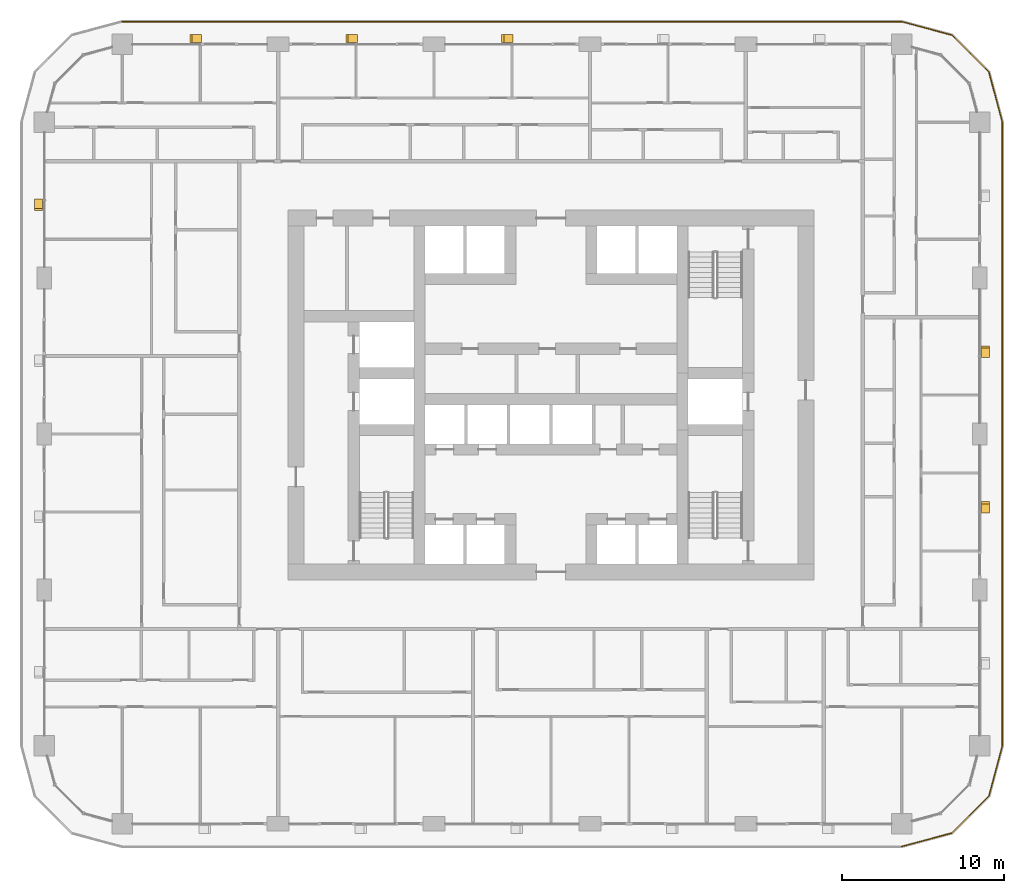
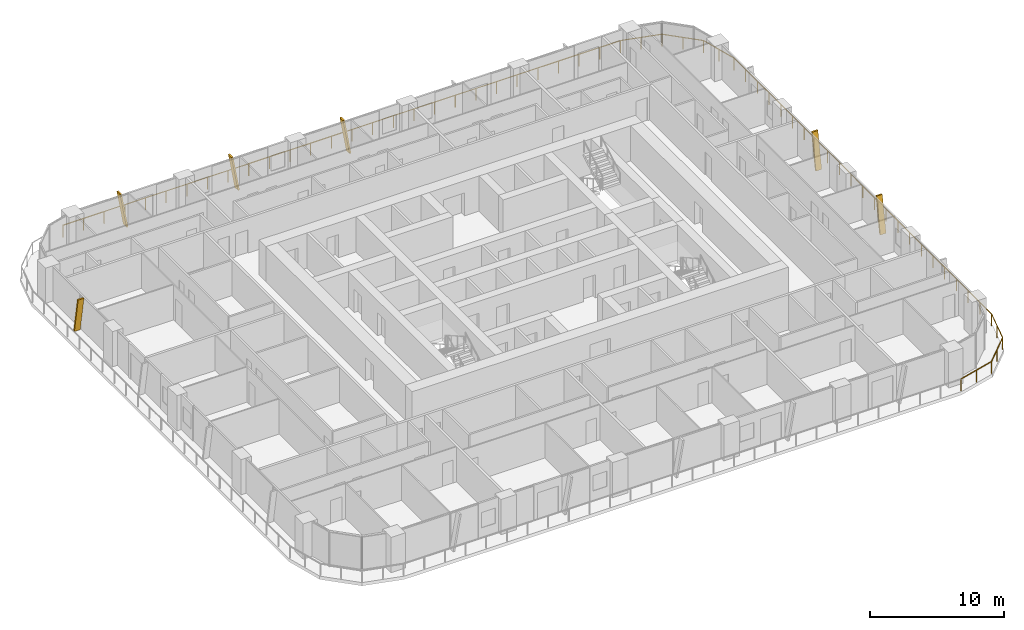
# One storey, part 20 of 21: 6 shading devices, 1 railing.
"""IFC4 building model written with IfcOpenShell, lengths in metres."""

from ifc_helpers import new_model, si_unit, direction, frame, origin, origin_2d, place, context, subcontext, project, spatial, polyline, circle, outline, extrude, material, type_object, element, save


model = new_model("IFC4")

# Units and contexts
model_context = context("Model", 3, precision=1e-05, world=origin(), true_north=direction((0.0, 1.0)))
body_context = subcontext(model_context, "Body", "Model", "MODEL_VIEW")
ifc_project = project(units=[si_unit("LENGTHUNIT", "METRE"), si_unit("AREAUNIT", "SQUARE_METRE"), si_unit("VOLUMEUNIT", "CUBIC_METRE"), si_unit("PLANEANGLEUNIT", "RADIAN"), si_unit("MASSUNIT", "GRAM", prefix="KILO")], contexts=[model_context])

# Site, building, storey
site_placement = place(None, origin())
site = spatial("IfcSite", under=ifc_project, at=site_placement, CompositionType="ELEMENT")
building_placement = place(site_placement, origin())
building = spatial("IfcBuilding", under=site, at=building_placement, Name="Madar Terraces", CompositionType="ELEMENT")
storey_placement = place(building_placement, frame((0.0, 0.0, 32.89990234375)))
storey = spatial("IfcBuildingStorey", under=building, at=storey_placement, Name="L07", CompositionType="ELEMENT", Elevation=32.89990234375)

# Railing
ifc_material_1 = material(Name="Glass, safety glazing, with stainless steel posts", Category="steel")
railing_type = type_object("IfcRailingType", Name="Balcony glass guard 1100", PredefinedType="GUARDRAIL", material=ifc_material_1)
railing_placement = place(storey_placement, frame((52.800048828125, -1.39990234375, 0.0)))
element("IfcRailing", 1, at=railing_placement, inside=storey, type_object=railing_type, Name="Balcony guard", PredefinedType="GUARDRAIL", context=body_context, shape_type="SweptSolid", body=[
    extrude(circle(Radius=0.02392578125, at=origin_2d()), frame((0.0, 0.0, 1.076171875), z_axis=(0.965928696102, 0.258808334578, 0.0), x_axis=(-0.258808334578, 0.965928696102, 0.0)), (0.0, 0.0, 1.0), 3.209228515625),
    extrude(circle(Radius=0.02392578125, at=origin_2d()), frame((3.099853515625, 0.83056640625, 1.076171875), z_axis=(0.707144815061, 0.707068745266, 0.0), x_axis=(-0.707068745266, 0.707144815061, 0.0)), (0.0, 0.0, 1.0), 3.20947265625),
    extrude(circle(Radius=0.02392578125, at=origin_2d()), frame((5.369384765625, 3.099853515625, 1.076171875), z_axis=(0.258789317819, 0.9659337912, 0.0), x_axis=(-0.9659337912, 0.258789317819, 0.0)), (0.0, 0.0, 1.0), 3.20947265625),
    extrude(circle(Radius=0.02392578125, at=origin_2d()), frame((6.199951171875, 6.199951171875, 1.076171875), z_axis=(0.0, 1.0, 0.0), x_axis=(-1.0, 0.0, 0.0)), (0.0, 0.0, 1.0), 38.39990234375),
    extrude(circle(Radius=0.02392578125, at=origin_2d()), frame((6.199951171875, 44.599853515625, 1.076171875), z_axis=(-0.258789317819, 0.9659337912, 0.0), x_axis=(-0.9659337912, -0.258789317819, 0.0)), (0.0, 0.0, 1.0), 3.20947265625),
    extrude(circle(Radius=0.02392578125, at=origin_2d()), frame((5.369384765625, 47.699951171875, 1.076171875), z_axis=(-0.707144815061, 0.707068745266, 0.0), x_axis=(-0.707068745266, -0.707144815061, 0.0)), (0.0, 0.0, 1.0), 3.20947265625),
    extrude(circle(Radius=0.02392578125, at=origin_2d()), frame((3.099853515625, 49.96923828125, 1.076171875), z_axis=(-0.965928696102, 0.258808334578, 0.0), x_axis=(-0.258808334578, -0.965928696102, 0.0)), (0.0, 0.0, 1.0), 3.209228515625),
    extrude(circle(Radius=0.02392578125, at=origin_2d()), frame((0.0, 50.7998046875, 1.076171875), z_axis=(-1.0, 0.0, 0.0), x_axis=(0.0, -1.0, 0.0)), (0.0, 0.0, 1.0), 48.0),
    extrude(circle(Radius=0.02099609375, at=origin_2d()), origin(), (0.0, 0.0, 1.0), 1.052001953125),
    extrude(circle(Radius=0.02099609375, at=origin_2d()), frame((1.5498046875, 0.415283203125, 0.0)), (0.0, 0.0, 1.0), 1.052001953125),
    extrude(circle(Radius=0.02099609375, at=origin_2d()), frame((3.099853515625, 0.83056640625, 0.0)), (0.0, 0.0, 1.0), 1.052001953125),
    extrude(circle(Radius=0.02099609375, at=origin_2d()), frame((4.234619140625, 1.96533203125, 0.0)), (0.0, 0.0, 1.0), 1.052001953125),
    extrude(circle(Radius=0.02099609375, at=origin_2d()), frame((5.369384765625, 3.099853515625, 0.0)), (0.0, 0.0, 1.0), 1.052001953125),
    extrude(circle(Radius=0.02099609375, at=origin_2d()), frame((5.78466796875, 4.64990234375, 0.0)), (0.0, 0.0, 1.0), 1.052001953125),
    extrude(circle(Radius=0.02099609375, at=origin_2d()), frame((6.199951171875, 6.199951171875, 0.0)), (0.0, 0.0, 1.0), 1.052001953125),
    extrude(circle(Radius=0.02099609375, at=origin_2d()), frame((6.199951171875, 7.9453125, 0.0)), (0.0, 0.0, 1.0), 1.052001953125),
    extrude(circle(Radius=0.02099609375, at=origin_2d()), frame((6.199951171875, 9.69091796875, 0.0)), (0.0, 0.0, 1.0), 1.052001953125),
    extrude(circle(Radius=0.02099609375, at=origin_2d()), frame((6.199951171875, 11.436279296875, 0.0)), (0.0, 0.0, 1.0), 1.052001953125),
    extrude(circle(Radius=0.02099609375, at=origin_2d()), frame((6.199951171875, 13.181640625, 0.0)), (0.0, 0.0, 1.0), 1.052001953125),
    extrude(circle(Radius=0.02099609375, at=origin_2d()), frame((6.199951171875, 14.92724609375, 0.0)), (0.0, 0.0, 1.0), 1.052001953125),
    extrude(circle(Radius=0.02099609375, at=origin_2d()), frame((6.199951171875, 16.672607421875, 0.0)), (0.0, 0.0, 1.0), 1.052001953125),
    extrude(circle(Radius=0.02099609375, at=origin_2d()), frame((6.199951171875, 18.418212890625, 0.0)), (0.0, 0.0, 1.0), 1.052001953125),
    extrude(circle(Radius=0.02099609375, at=origin_2d()), frame((6.199951171875, 20.16357421875, 0.0)), (0.0, 0.0, 1.0), 1.052001953125),
    extrude(circle(Radius=0.02099609375, at=origin_2d()), frame((6.199951171875, 21.908935546875, 0.0)), (0.0, 0.0, 1.0), 1.052001953125),
    extrude(circle(Radius=0.02099609375, at=origin_2d()), frame((6.199951171875, 23.654541015625, 0.0)), (0.0, 0.0, 1.0), 1.052001953125),
    extrude(circle(Radius=0.02099609375, at=origin_2d()), frame((6.199951171875, 25.39990234375, 0.0)), (0.0, 0.0, 1.0), 1.052001953125),
    extrude(circle(Radius=0.02099609375, at=origin_2d()), frame((6.199951171875, 27.145263671875, 0.0)), (0.0, 0.0, 1.0), 1.052001953125),
    extrude(circle(Radius=0.02099609375, at=origin_2d()), frame((6.199951171875, 28.890869140625, 0.0)), (0.0, 0.0, 1.0), 1.052001953125),
    extrude(circle(Radius=0.02099609375, at=origin_2d()), frame((6.199951171875, 30.63623046875, 0.0)), (0.0, 0.0, 1.0), 1.052001953125),
    extrude(circle(Radius=0.02099609375, at=origin_2d()), frame((6.199951171875, 32.381591796875, 0.0)), (0.0, 0.0, 1.0), 1.052001953125),
    extrude(circle(Radius=0.02099609375, at=origin_2d()), frame((6.199951171875, 34.127197265625, 0.0)), (0.0, 0.0, 1.0), 1.052001953125),
    extrude(circle(Radius=0.02099609375, at=origin_2d()), frame((6.199951171875, 35.87255859375, 0.0)), (0.0, 0.0, 1.0), 1.052001953125),
    extrude(circle(Radius=0.02099609375, at=origin_2d()), frame((6.199951171875, 37.6181640625, 0.0)), (0.0, 0.0, 1.0), 1.052001953125),
    extrude(circle(Radius=0.02099609375, at=origin_2d()), frame((6.199951171875, 39.363525390625, 0.0)), (0.0, 0.0, 1.0), 1.052001953125),
    extrude(circle(Radius=0.02099609375, at=origin_2d()), frame((6.199951171875, 41.10888671875, 0.0)), (0.0, 0.0, 1.0), 1.052001953125),
    extrude(circle(Radius=0.02099609375, at=origin_2d()), frame((6.199951171875, 42.8544921875, 0.0)), (0.0, 0.0, 1.0), 1.052001953125),
    extrude(circle(Radius=0.02099609375, at=origin_2d()), frame((6.199951171875, 44.599853515625, 0.0)), (0.0, 0.0, 1.0), 1.052001953125),
    extrude(circle(Radius=0.02099609375, at=origin_2d()), frame((5.78466796875, 46.14990234375, 0.0)), (0.0, 0.0, 1.0), 1.052001953125),
    extrude(circle(Radius=0.02099609375, at=origin_2d()), frame((5.369384765625, 47.699951171875, 0.0)), (0.0, 0.0, 1.0), 1.052001953125),
    extrude(circle(Radius=0.02099609375, at=origin_2d()), frame((4.234619140625, 48.83447265625, 0.0)), (0.0, 0.0, 1.0), 1.052001953125),
    extrude(circle(Radius=0.02099609375, at=origin_2d()), frame((3.099853515625, 49.96923828125, 0.0)), (0.0, 0.0, 1.0), 1.052001953125),
    extrude(circle(Radius=0.02099609375, at=origin_2d()), frame((1.5498046875, 50.384521484375, 0.0)), (0.0, 0.0, 1.0), 1.052001953125),
    extrude(circle(Radius=0.02099609375, at=origin_2d()), frame((0.0, 50.7998046875, 0.0)), (0.0, 0.0, 1.0), 1.052001953125),
    extrude(circle(Radius=0.02099609375, at=origin_2d()), frame((-1.77783203125, 50.7998046875, 0.0)), (0.0, 0.0, 1.0), 1.052001953125),
    extrude(circle(Radius=0.02099609375, at=origin_2d()), frame((-3.5556640625, 50.7998046875, 0.0)), (0.0, 0.0, 1.0), 1.052001953125),
    extrude(circle(Radius=0.02099609375, at=origin_2d()), frame((-5.333251953125, 50.7998046875, 0.0)), (0.0, 0.0, 1.0), 1.052001953125),
    extrude(circle(Radius=0.02099609375, at=origin_2d()), frame((-7.111083984375, 50.7998046875, 0.0)), (0.0, 0.0, 1.0), 1.052001953125),
    extrude(circle(Radius=0.02099609375, at=origin_2d()), frame((-8.888916015625, 50.7998046875, 0.0)), (0.0, 0.0, 1.0), 1.052001953125),
    extrude(circle(Radius=0.02099609375, at=origin_2d()), frame((-10.666748046875, 50.7998046875, 0.0)), (0.0, 0.0, 1.0), 1.052001953125),
    extrude(circle(Radius=0.02099609375, at=origin_2d()), frame((-12.4443359375, 50.7998046875, 0.0)), (0.0, 0.0, 1.0), 1.052001953125),
    extrude(circle(Radius=0.02099609375, at=origin_2d()), frame((-14.22216796875, 50.7998046875, 0.0)), (0.0, 0.0, 1.0), 1.052001953125),
    extrude(circle(Radius=0.02099609375, at=origin_2d()), frame((-16.0, 50.7998046875, 0.0)), (0.0, 0.0, 1.0), 1.052001953125),
    extrude(circle(Radius=0.02099609375, at=origin_2d()), frame((-17.77783203125, 50.7998046875, 0.0)), (0.0, 0.0, 1.0), 1.052001953125),
    extrude(circle(Radius=0.02099609375, at=origin_2d()), frame((-19.5556640625, 50.7998046875, 0.0)), (0.0, 0.0, 1.0), 1.052001953125),
    extrude(circle(Radius=0.02099609375, at=origin_2d()), frame((-21.333251953125, 50.7998046875, 0.0)), (0.0, 0.0, 1.0), 1.052001953125),
    extrude(circle(Radius=0.02099609375, at=origin_2d()), frame((-23.111083984375, 50.7998046875, 0.0)), (0.0, 0.0, 1.0), 1.052001953125),
    extrude(circle(Radius=0.02099609375, at=origin_2d()), frame((-24.888916015625, 50.7998046875, 0.0)), (0.0, 0.0, 1.0), 1.052001953125),
    extrude(circle(Radius=0.02099609375, at=origin_2d()), frame((-26.666748046875, 50.7998046875, 0.0)), (0.0, 0.0, 1.0), 1.052001953125),
    extrude(circle(Radius=0.02099609375, at=origin_2d()), frame((-28.4443359375, 50.7998046875, 0.0)), (0.0, 0.0, 1.0), 1.052001953125),
    extrude(circle(Radius=0.02099609375, at=origin_2d()), frame((-30.22216796875, 50.7998046875, 0.0)), (0.0, 0.0, 1.0), 1.052001953125),
    extrude(circle(Radius=0.02099609375, at=origin_2d()), frame((-32.0, 50.7998046875, 0.0)), (0.0, 0.0, 1.0), 1.052001953125),
    extrude(circle(Radius=0.02099609375, at=origin_2d()), frame((-33.77783203125, 50.7998046875, 0.0)), (0.0, 0.0, 1.0), 1.052001953125),
    extrude(circle(Radius=0.02099609375, at=origin_2d()), frame((-35.5556640625, 50.7998046875, 0.0)), (0.0, 0.0, 1.0), 1.052001953125),
    extrude(circle(Radius=0.02099609375, at=origin_2d()), frame((-37.333251953125, 50.7998046875, 0.0)), (0.0, 0.0, 1.0), 1.052001953125),
    extrude(circle(Radius=0.02099609375, at=origin_2d()), frame((-39.111083984375, 50.7998046875, 0.0)), (0.0, 0.0, 1.0), 1.052001953125),
    extrude(circle(Radius=0.02099609375, at=origin_2d()), frame((-40.888916015625, 50.7998046875, 0.0)), (0.0, 0.0, 1.0), 1.052001953125),
    extrude(circle(Radius=0.02099609375, at=origin_2d()), frame((-42.666748046875, 50.7998046875, 0.0)), (0.0, 0.0, 1.0), 1.052001953125),
    extrude(circle(Radius=0.02099609375, at=origin_2d()), frame((-44.4443359375, 50.7998046875, 0.0)), (0.0, 0.0, 1.0), 1.052001953125),
    extrude(circle(Radius=0.02099609375, at=origin_2d()), frame((-46.22216796875, 50.7998046875, 0.0)), (0.0, 0.0, 1.0), 1.052001953125),
    extrude(circle(Radius=0.02099609375, at=origin_2d()), frame((-48.0, 50.7998046875, 0.0)), (0.0, 0.0, 1.0), 1.052001953125),
])

# Shading devices
ifc_material_2 = material(Name="Aluminium, black anodised", Category="aluminium")
shading_device_type = type_object("IfcShadingDeviceType", Name="Facade fin blade 140 x 500", PredefinedType="USERDEFINED", material=ifc_material_2)
for number, where, z_axis, x_axis, name in (
    (2, (57.949951171875, 19.1298828125, 0.0), (0.0, 0.0, 1.0), (0.0, 1.0, 0.0), "FIN L07 E2"),
    (3, (57.949951171875, 28.72998046875, 0.0), (0.0, 0.0, 1.0), (0.0, 1.0, 0.0), "FIN L07 E3"),
    (4, (28.8701171875, 48.35009765625, 0.0), (0.0, 0.0, 1.0), (-1.0, 0.0, 0.0), "FIN L07 N3"),
    (5, (19.27001953125, 48.35009765625, 0.0), (0.0, 0.0, 1.0), (-1.0, 0.0, 0.0), "FIN L07 N4"),
):
    element("IfcShadingDevice", number, at=place(storey_placement, frame(where, z_axis=z_axis, x_axis=x_axis)), inside=storey, type_object=shading_device_type, Name=name, ObjectType="FIN", PredefinedType="USERDEFINED", context=body_context, shape_type="SweptSolid", body=[
        extrude(outline(polyline([(0.0, 0.0), (0.14013671875, 0.0), (0.704345703125, 3.2001953125), (0.564208984375, 3.2001953125), (0.0, 0.0)])), frame((0.0, 0.25, 0.0), z_axis=(0.0, -1.0, 0.0), x_axis=(1.0, 0.0, 0.0)), (0.0, 0.0, 1.0), 0.5),
    ])
for number, where, z_axis, x_axis, name in (
    (6, (9.669921875, 48.35009765625, 0.0), (0.0, 0.0, 1.0), (-1.0, 0.0, 0.0), "FIN L07 N5"),
    (7, (-0.35009765625, 38.469970703125, 0.0), (0.0, 0.0, 1.0), (0.0, -1.0, 0.0), "FIN L07 W1"),
):
    element("IfcShadingDevice", number, at=place(storey_placement, frame(where, z_axis=z_axis, x_axis=x_axis)), inside=storey, type_object=shading_device_type, Name=name, ObjectType="FIN", PredefinedType="USERDEFINED", context=body_context, shape_type="SweptSolid", body=[
        extrude(outline(polyline([(0.0, 0.0), (0.139892578125, 0.0), (0.704345703125, 3.2001953125), (0.564208984375, 3.2001953125), (0.0, 0.0)])), frame((0.0, 0.25, 0.0), z_axis=(0.0, -1.0, 0.0), x_axis=(1.0, 0.0, 0.0)), (0.0, 0.0, 1.0), 0.5),
    ])

save(model, "model.ifc")
